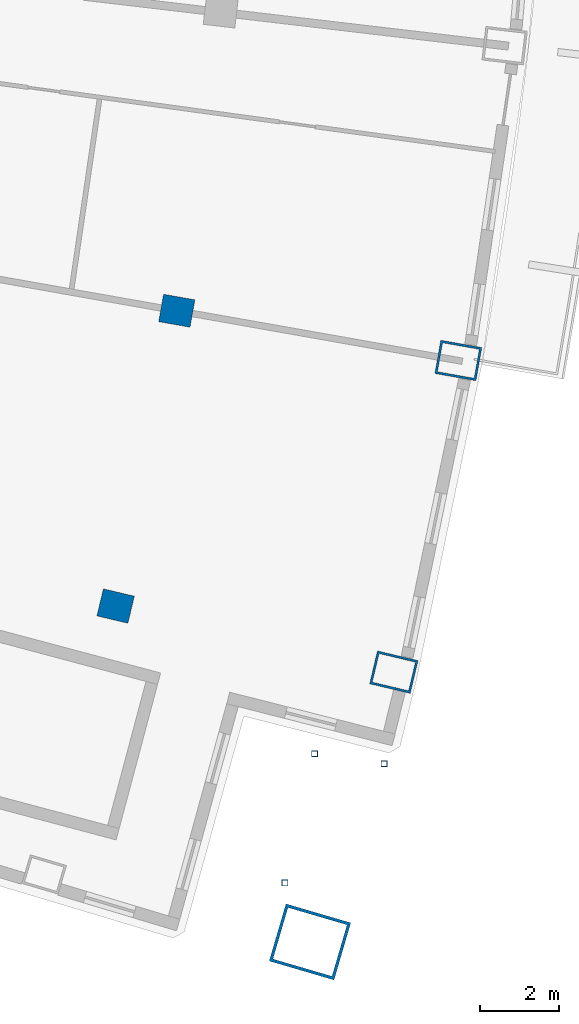
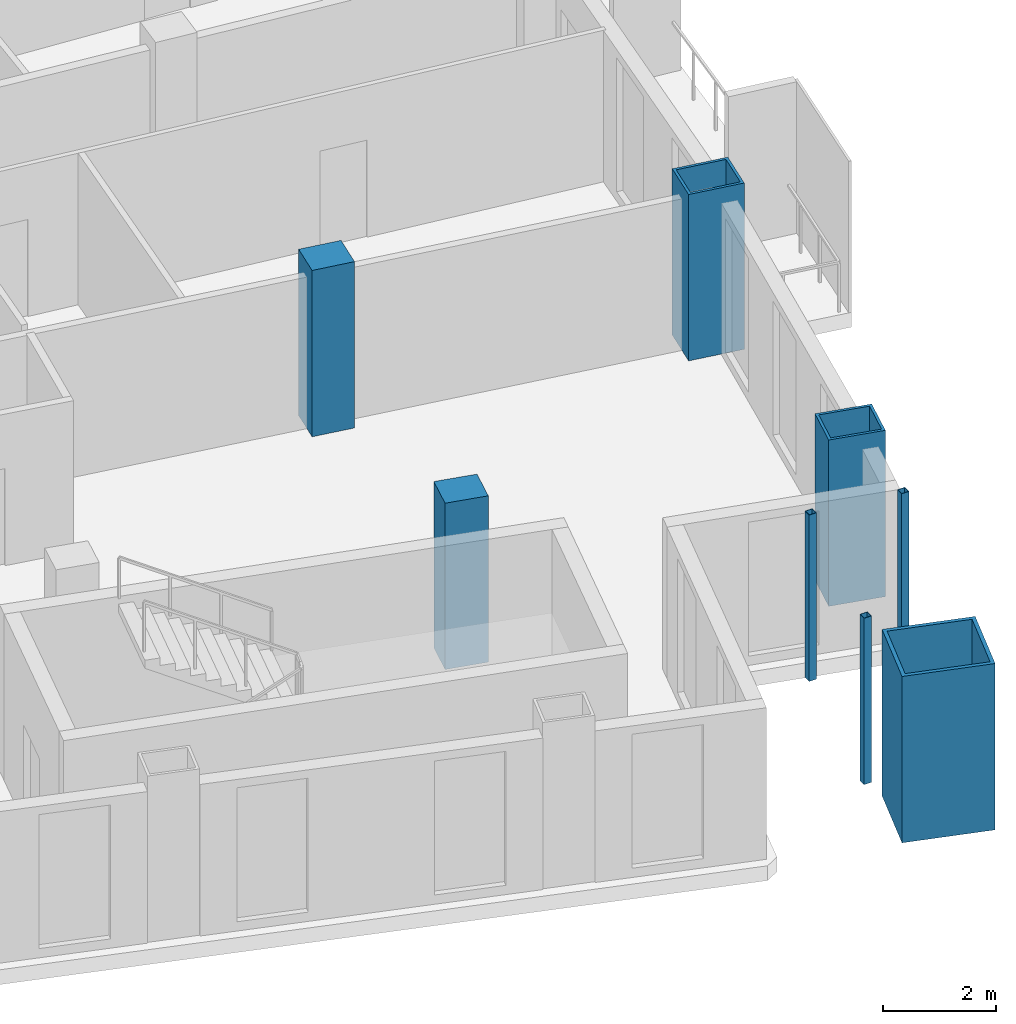
# One storey, part 3 of 18: 8 columns.
"""IFC4 building model written with IfcOpenShell, lengths in metres."""

import ifcopenshell
import ifcopenshell.guid

model = None  # the IFC model being written
_history = None  # IfcOwnerHistory: only IFC2X3 demands one
_inside = {}  # id of a spatial element -> (the spatial element, [elements in it])
_under = {}  # id of a project, library or spatial element -> (it, [spatial elements below it])
_declared = {}  # id of a project -> (the project, [libraries it declares])
_typed = {}  # id of a type object -> (the type object, [elements of that type])
_made_of = {}  # id of a material, layer set ... -> (it, [elements and type objects made of it])


def new_model(schema):
    """Start an empty IFC model of exactly this schema.

    Asked for "IFC4X3", IfcOpenShell would pick the latest addendum, in which some entities
    have other attributes; the version numbers below select the first issue.
    IFC2X3 requires an IfcOwnerHistory on every rooted entity: one is made here for all.
    """
    global model, _history
    if schema == "IFC4X3":
        model = ifcopenshell.file(schema_version=(4, 3, 0, 0))
    else:
        model = ifcopenshell.file(schema=schema)
    _inside.clear()
    _under.clear()
    _declared.clear()
    _typed.clear()
    _made_of.clear()
    _history = None
    if model.schema == "IFC2X3":
        org = make("IfcOrganization", Name="unknown")
        user = make(
            "IfcPersonAndOrganization",
            ThePerson=make("IfcPerson", FamilyName="unknown"),
            TheOrganization=org,
        )
        app = make(
            "IfcApplication",
            ApplicationDeveloper=org,
            Version="unknown",
            ApplicationFullName="unknown",
            ApplicationIdentifier="unknown",
        )
        _history = make(
            "IfcOwnerHistory",
            OwningUser=user,
            OwningApplication=app,
            ChangeAction="ADDED",
            CreationDate=0,
        )
    return model


def make(cls, **values):
    """One entity of the class cls with the attributes given. An attribute that is None is left unset."""
    return model.create_entity(
        cls, **{name: value for name, value in values.items() if value is not None}
    )


def rooted(cls, **values):
    """An entity with a GlobalId (a new one), such as an element, a storey or a relation."""
    return make(cls, GlobalId=ifcopenshell.guid.new(), OwnerHistory=_history, **values)


def si_unit(unit_type, name, prefix=None):
    """IfcSIUnit, for example si_unit("LENGTHUNIT", "METRE", prefix="MILLI")."""
    return make("IfcSIUnit", UnitType=unit_type, Prefix=prefix, Name=name)


def assignment(units):
    """IfcUnitAssignment: the units of a project."""
    return None if units is None else make("IfcUnitAssignment", Units=units)


def point(xyz):
    """IfcCartesianPoint."""
    return None if xyz is None else make("IfcCartesianPoint", Coordinates=xyz)


def direction(xyz):
    """IfcDirection."""
    return None if xyz is None else make("IfcDirection", DirectionRatios=xyz)


def frame(location, z_axis=None, x_axis=None):
    """IfcAxis2Placement3D, a coordinate frame: its origin and axes. An axis left out is left unset."""
    return make(
        "IfcAxis2Placement3D",
        Location=point(location),
        Axis=direction(z_axis),
        RefDirection=direction(x_axis),
    )


def frame_2d(location, x_axis=None):
    """IfcAxis2Placement2D, a coordinate frame in the plane: its origin and x axis."""
    return make(
        "IfcAxis2Placement2D", Location=point(location), RefDirection=direction(x_axis)
    )


def origin():
    """The frame at (0, 0, 0) with its axes left unset."""
    return frame((0.0, 0.0, 0.0))


def origin_2d():
    """The frame at (0, 0) in the plane with its x axis left unset."""
    return frame_2d((0.0, 0.0))


def place(relative_to, where):
    """IfcLocalPlacement: puts the frame where relative to a parent placement (None: the world)."""
    return make(
        "IfcLocalPlacement", PlacementRelTo=relative_to, RelativePlacement=where
    )


def context(
    kind, dimensions, precision=None, world=None, true_north=None, identifier=None
):
    """IfcGeometricRepresentationContext, for example the 3D "Model" context."""
    return make(
        "IfcGeometricRepresentationContext",
        ContextIdentifier=identifier,
        ContextType=kind,
        CoordinateSpaceDimension=dimensions,
        Precision=precision,
        WorldCoordinateSystem=world,
        TrueNorth=true_north,
    )


def subcontext(parent, identifier, kind, view, scale=None):
    """IfcGeometricRepresentationSubContext, for example "Body" below "Model"."""
    return make(
        "IfcGeometricRepresentationSubContext",
        ContextIdentifier=identifier,
        ContextType=kind,
        ParentContext=parent,
        TargetScale=scale,
        TargetView=view,
    )


def project(units=None, contexts=None):
    """IfcProject with its units and contexts."""
    return rooted(
        "IfcProject",
        Name="project",
        RepresentationContexts=contexts,
        UnitsInContext=assignment(units),
    )


def spatial(cls, under=None, at=None, **own):
    """A site, building, storey or space (cls), placed at a placement, below another one or the project."""
    s = rooted(cls, ObjectPlacement=at, **own)
    if under is not None:
        _under.setdefault(under.id(), (under, []))[1].append(s)
    return s


def profile(cls, at=None, kind="AREA", **sizes):
    """A parametric profile (cls). Its sizes go by their IFC names, for example OverallWidth=200.0."""
    return make(cls, ProfileType=kind, Position=at, **sizes)


def rectangle(**sizes):
    """IfcRectangleProfileDef."""
    return profile("IfcRectangleProfileDef", **sizes)


def hollow_rectangle(**sizes):
    """IfcRectangleHollowProfileDef."""
    return profile("IfcRectangleHollowProfileDef", **sizes)


def extrude(swept, where, along, depth):
    """IfcExtrudedAreaSolid: the profile swept, set in the frame where, extruded along a direction by depth."""
    return make(
        "IfcExtrudedAreaSolid",
        SweptArea=swept,
        Position=where,
        ExtrudedDirection=direction(along),
        Depth=depth,
    )


def shape(context_of_items, identifier, shape_type, items):
    """IfcShapeRepresentation: the items that make up one representation, for example the "Body"."""
    return make(
        "IfcShapeRepresentation",
        ContextOfItems=context_of_items,
        RepresentationIdentifier=identifier,
        RepresentationType=shape_type,
        Items=items,
    )


def material(Name=None, Category=None):
    """IfcMaterial."""
    return make("IfcMaterial", Name=Name, Category=Category)


def material_profile(
    of_material, cross_section, Name=None, Category=None, Priority=None
):
    """IfcMaterialProfile: a cross section and its material."""
    return make(
        "IfcMaterialProfile",
        Name=Name,
        Material=of_material,
        Profile=cross_section,
        Priority=Priority,
        Category=Category,
    )


def profile_set(profiles, Name=None, composite=None):
    """IfcMaterialProfileSet."""
    return make(
        "IfcMaterialProfileSet",
        Name=Name,
        MaterialProfiles=profiles,
        CompositeProfile=composite,
    )


def made_of(thing, what):
    """Note that an element or type object is made of a material, layer set ...; save() writes the relation."""
    if what is not None:
        _made_of.setdefault(what.id(), (what, []))[1].append(thing)
    return thing


def type_object(cls, material=None, **own):
    """A type object (cls), such as IfcWallType, which elements share."""
    return made_of(rooted(cls, **own), material)


def element(
    cls,
    number,
    at=None,
    inside=None,
    cuts=None,
    type_object=None,
    material=None,
    context=None,
    identifier="Body",
    shape_type=None,
    held_by="IfcProductDefinitionShape",
    body=None,
    shapes=None,
    **own,
):
    """One element of the class cls, such as IfcWall. Its Tag is "e" and its number.

    at: its placement. inside: the storey or other place that contains it. cuts: it is an
    opening in that element (IfcRelVoidsElement). A single representation is given by context,
    identifier, shape_type and body (its items); several are given by shapes. held_by: the class
    of the entity that holds the representations. save() writes the other relations.
    """
    e = rooted(cls, Tag="e%d" % number, ObjectPlacement=at, **own)
    if body is not None:
        shapes = [shape(context, identifier, shape_type, body)]
    if shapes is not None:
        e.Representation = make(held_by, Representations=shapes)
    if inside is not None:
        _inside.setdefault(inside.id(), (inside, []))[1].append(e)
    if cuts is not None:
        rooted(
            "IfcRelVoidsElement", RelatingBuildingElement=cuts, RelatedOpeningElement=e
        )
    if type_object is not None:
        _typed.setdefault(type_object.id(), (type_object, []))[1].append(e)
    return made_of(e, material)


def aggregate(whole, parts):
    """IfcRelAggregates: a whole, such as a stair, and the parts it consists of."""
    return rooted("IfcRelAggregates", RelatingObject=whole, RelatedObjects=parts)


def save(model, path):
    """Write the relations noted so far, then the file.

    IfcRelAggregates (storeys below a building ...), IfcRelContainedInSpatialStructure (elements
    in a storey), IfcRelDefinesByType, IfcRelAssociatesMaterial and IfcRelDeclares: one each for
    every whole, place, type object, material and project.
    """
    for whole, parts in _under.values():
        aggregate(whole, parts)
    for where, things in _inside.values():
        rooted(
            "IfcRelContainedInSpatialStructure",
            RelatedElements=things,
            RelatingStructure=where,
        )
    for kind, things in _typed.values():
        rooted("IfcRelDefinesByType", RelatedObjects=things, RelatingType=kind)
    for what, things in _made_of.values():
        rooted("IfcRelAssociatesMaterial", RelatedObjects=things, RelatingMaterial=what)
    for by, libraries in _declared.values():
        rooted("IfcRelDeclares", RelatingContext=by, RelatedDefinitions=libraries)
    model.write(path)


model = new_model("IFC4")

# Units and contexts
model_context = context("Model", 3, precision=1e-05, world=origin(), true_north=direction((0.0, 1.0)))
body_context = subcontext(model_context, "Body", "Model", "MODEL_VIEW")
ifc_project = project(units=[si_unit("LENGTHUNIT", "METRE"), si_unit("AREAUNIT", "SQUARE_METRE"), si_unit("VOLUMEUNIT", "CUBIC_METRE"), si_unit("PLANEANGLEUNIT", "RADIAN"), si_unit("MASSUNIT", "GRAM", prefix="KILO")], contexts=[model_context])

# Site, building, storey
site_placement = place(None, origin())
site = spatial("IfcSite", under=ifc_project, at=site_placement, CompositionType="ELEMENT")
building_placement = place(site_placement, origin())
building = spatial("IfcBuilding", under=site, at=building_placement, Name="Alderwake Tower", CompositionType="ELEMENT")
storey_placement = place(building_placement, frame((0.0, 0.0, 225.199951171875)))
storey = spatial("IfcBuildingStorey", under=building, at=storey_placement, Name="L56", CompositionType="ELEMENT", Elevation=225.199951171875)

# Columns
ifc_material_1 = material(Name="Concrete C70/85", Category="concrete")
ifc_material_profile_1 = material_profile(ifc_material_1, rectangle(XDim=0.699951171875, YDim=0.800048828125, at=origin_2d()), Name="RC 800X700")
ifc_profile_set_1 = profile_set([ifc_material_profile_1], Name="Concrete C70/85")
column_type_1 = type_object("IfcColumnType", Name="Interior column Z4", PredefinedType="COLUMN", material=ifc_profile_set_1)
for number, where, z_axis, x_axis, name in (
    (1, (46.671630859375, 30.89501953125, 0.0), (0.0, 0.0, 1.0), (0.231221547198, 0.972901123502, 0.0), "Column R03-C4"),
    (2, (48.21142578125, 38.3310546875, 0.0), (0.0, 0.0, 1.0), (0.174108800747, 0.984726421654, 0.0), "Column R04-C4"),
):
    element("IfcColumn", number, at=place(storey_placement, frame(where, z_axis=z_axis, x_axis=x_axis)), inside=storey, type_object=column_type_1, Name=name, PredefinedType="COLUMN", context=body_context, shape_type="SweptSolid", body=[
        extrude(rectangle(XDim=0.699951171875, YDim=0.800048828125, at=origin_2d()), origin(), (0.0, 0.0, 1.0), 3.60009765625),
    ])
ifc_material_2 = material(Name="Steel ASTM A500 Grade C", Category="steel")
ifc_material_profile_2 = material_profile(ifc_material_2, hollow_rectangle(XDim=0.15234375, YDim=0.15234375, WallThickness=0.0087890625, at=origin_2d()), Name="HSS6X6X3/8")
ifc_profile_set_2 = profile_set([ifc_material_profile_2], Name="Steel ASTM A500 Grade C")
column_type_2 = type_object("IfcColumnType", Name="Light post HSS6X6X3/8", PredefinedType="COLUMN", material=ifc_profile_set_2)
for number, where, z_axis, x_axis, name in (
    (3, (53.4326171875, 26.925537109375, 0.0), (0.0, 0.0, 1.0), (1.0, 0.0, 0.0), "Terrace post FS1"),
    (4, (50.9326171875, 23.925537109375, 0.0), (0.0, 0.0, 1.0), (1.0, 0.0, 0.0), "Terrace post FS2"),
    (5, (51.6826171875, 27.175537109375, 0.0), (0.0, 0.0, 1.0), (1.0, 0.0, 0.0), "Terrace post FS3"),
):
    element("IfcColumn", number, at=place(storey_placement, frame(where, z_axis=z_axis, x_axis=x_axis)), inside=storey, type_object=column_type_2, Name=name, PredefinedType="COLUMN", context=body_context, shape_type="SweptSolid", body=[
        extrude(hollow_rectangle(XDim=0.15234375, YDim=0.15234375, WallThickness=0.0087890625, at=origin_2d()), origin(), (0.0, 0.0, 1.0), 3.60009765625),
    ])
ifc_material_3 = material(Name="Steel ASTM A572 Grade 50 concrete filled C70/85", Category="concrete")
ifc_material_profile_3 = material_profile(ifc_material_3, hollow_rectangle(XDim=1.5, YDim=1.699951171875, WallThickness=0.074951171875, at=origin_2d()), Name="BOX 1700X1500X75")
ifc_profile_set_3 = profile_set([ifc_material_profile_3], Name="Steel ASTM A572 Grade 50 concrete filled C70/85")
column_type_3 = type_object("IfcColumnType", Name="Mega column Z4", PredefinedType="COLUMN", material=ifc_profile_set_3)
column_placement = place(storey_placement, frame((51.565185546875, 22.43798828125, 0.0), z_axis=(0.0, 0.0, 1.0), x_axis=(0.281269716931, 0.959628754435, 0.0)))
element("IfcColumn", 6, at=column_placement, inside=storey, type_object=column_type_3, Name="Column R02-C5", PredefinedType="COLUMN", context=body_context, shape_type="SweptSolid", body=[
    extrude(hollow_rectangle(XDim=1.5, YDim=1.699951171875, WallThickness=0.074951171875, at=origin_2d()), origin(), (0.0, 0.0, 1.0), 3.60009765625),
])
ifc_material_4 = material(Name="Steel ASTM A572 Grade 50 concrete filled C70/85", Category="concrete")
ifc_material_profile_4 = material_profile(ifc_material_4, hollow_rectangle(XDim=0.85009765625, YDim=1.050048828125, WallThickness=0.054931640625, at=origin_2d()), Name="BOX 1050X850X55")
ifc_profile_set_4 = profile_set([ifc_material_profile_4], Name="Steel ASTM A572 Grade 50 concrete filled C70/85")
column_type_4 = type_object("IfcColumnType", Name="Perimeter column Z4", PredefinedType="COLUMN", material=ifc_profile_set_4)
for number, where, z_axis, x_axis, name in (
    (7, (53.676513671875, 29.22998046875, 0.0), (0.0, 0.0, 1.0), (0.231221547198, 0.972901123502, 0.0), "Column R03-C5"),
    (8, (55.301513671875, 37.077392578125, 0.0), (0.0, 0.0, 1.0), (0.174108800747, 0.984726421654, 0.0), "Column R04-C5"),
):
    element("IfcColumn", number, at=place(storey_placement, frame(where, z_axis=z_axis, x_axis=x_axis)), inside=storey, type_object=column_type_4, Name=name, PredefinedType="COLUMN", context=body_context, shape_type="SweptSolid", body=[
        extrude(hollow_rectangle(XDim=0.85009765625, YDim=1.050048828125, WallThickness=0.054931640625, at=origin_2d()), origin(), (0.0, 0.0, 1.0), 3.60009765625),
    ])

save(model, "model.ifc")
